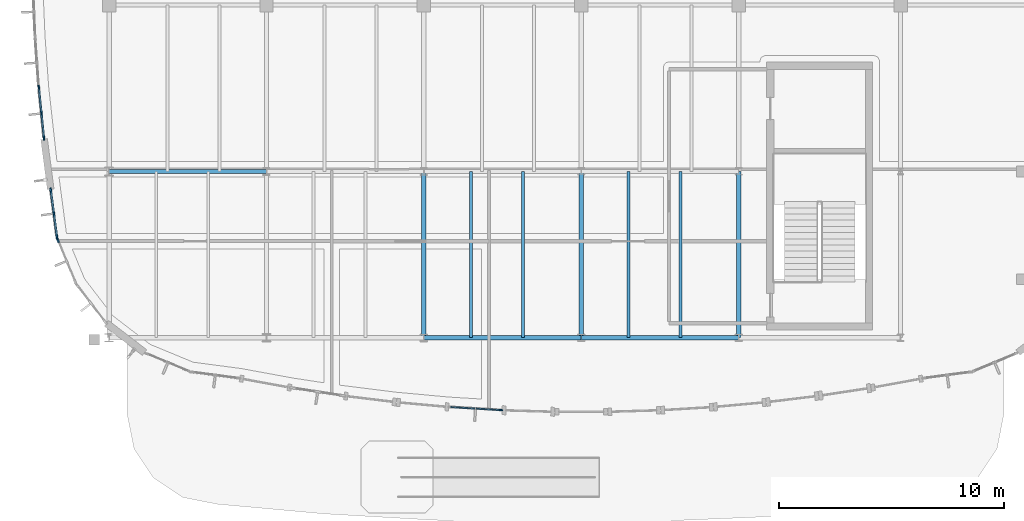
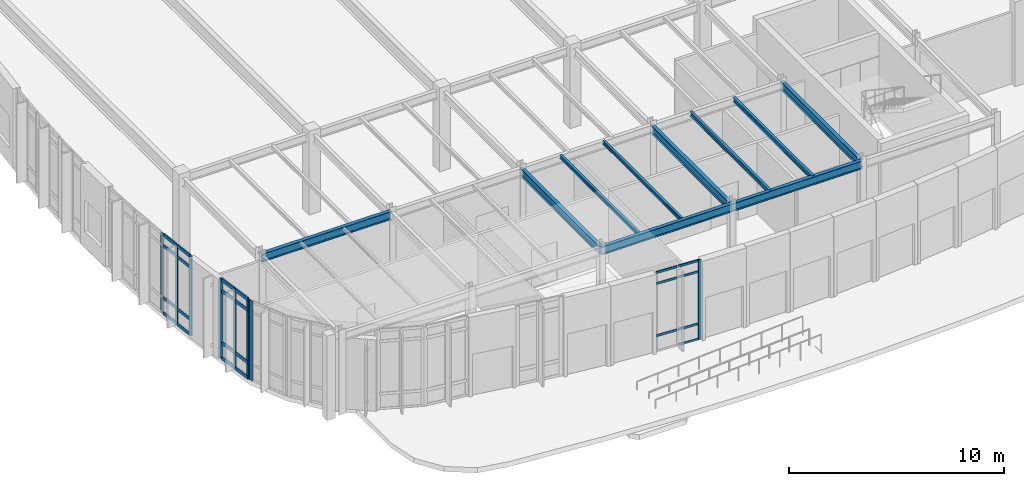
# One storey, part 39 of 120: 31 members, 10 beams, 5 elements without a shape of their own.
"""IFC4 building model written with IfcOpenShell, lengths in metres."""

from ifc_helpers import new_model, si_unit, direction, frame, origin, origin_2d, place, context, subcontext, project, spatial, rectangle, i_section, extrude, material, material_profile, profile_set, type_object, element, aggregate, save


model = new_model("IFC4")

# Units and contexts
model_context = context("Model", 3, precision=1e-05, world=origin(), true_north=direction((0.0, 1.0)))
body_context = subcontext(model_context, "Body", "Model", "MODEL_VIEW")
ifc_project = project(units=[si_unit("LENGTHUNIT", "METRE"), si_unit("AREAUNIT", "SQUARE_METRE"), si_unit("VOLUMEUNIT", "CUBIC_METRE"), si_unit("PLANEANGLEUNIT", "RADIAN"), si_unit("MASSUNIT", "GRAM", prefix="KILO")], contexts=[model_context])

# Site, building, storey
site_placement = place(None, origin())
site = spatial("IfcSite", under=ifc_project, at=site_placement, CompositionType="ELEMENT")
building_placement = place(site_placement, origin())
building = spatial("IfcBuilding", under=site, at=building_placement, Name="Corveleigh Park Community Centre", CompositionType="ELEMENT")
storey_placement = place(building_placement, origin())
storey = spatial("IfcBuildingStorey", under=building, at=storey_placement, Name="L00", CompositionType="ELEMENT", Elevation=0.0)

# Beams
ifc_material_1 = material(Name="Steel S355", Category="steel")
ifc_material_profile_1 = material_profile(ifc_material_1, i_section(OverallWidth=0.1337890625, OverallDepth=0.206787109375, WebThickness=0.00634765625, FlangeThickness=0.009521484375, at=origin_2d()), Name="UKB 203x133x30", Category="steel")
ifc_profile_set_1 = profile_set([ifc_material_profile_1], Name="Steel S355")
beam_type_1 = type_object("IfcBeamType", Name="BM-STL-UKB203x30", PredefinedType="JOIST", material=ifc_profile_set_1)
for number, where, z_axis, x_axis, name in (
    (1, (27.300048828125, 78.0048828125, 4.423583984375), (0.0, 1.0, 0.0), (-1.0, 0.0, 0.0), "Secondary floor joist"),
    (2, (29.610107421875, 78.0048828125, 4.423583984375), (0.0, 1.0, 0.0), (-1.0, 0.0, 0.0), "Secondary floor joist"),
):
    element("IfcBeam", number, at=place(storey_placement, frame(where, z_axis=z_axis, x_axis=x_axis)), inside=storey, type_object=beam_type_1, Name=name, PredefinedType="JOIST", context=body_context, shape_type="SweptSolid", body=[
        extrude(i_section(OverallWidth=0.1337890625, OverallDepth=0.206787109375, WebThickness=0.00634765625, FlangeThickness=0.009521484375, at=origin_2d()), origin(), (0.0, 0.0, 1.0), 7.39013671875),
    ])
ifc_material_profile_2 = material_profile(ifc_material_1, i_section(OverallWidth=0.14599609375, OverallDepth=0.25146484375, WebThickness=0.006103515625, FlangeThickness=0.008544921875, at=origin_2d()), Name="UKB 254x146x31", Category="steel")
ifc_profile_set_2 = profile_set([ifc_material_profile_2], Name="Steel S355")
beam_type_2 = type_object("IfcBeamType", Name="BM-STL-UKB254x31", PredefinedType="JOIST", material=ifc_profile_set_2)
for number, where, z_axis, x_axis, name in (
    (3, (34.300048828125, 78.0048828125, 4.4013671875), (0.0, 1.0, 0.0), (-1.0, 0.0, 0.0), "Secondary floor joist"),
    (4, (36.610107421875, 78.0048828125, 4.4013671875), (0.0, 1.0, 0.0), (-1.0, 0.0, 0.0), "Secondary floor joist"),
):
    element("IfcBeam", number, at=place(storey_placement, frame(where, z_axis=z_axis, x_axis=x_axis)), inside=storey, type_object=beam_type_2, Name=name, PredefinedType="JOIST", context=body_context, shape_type="SweptSolid", body=[
        extrude(i_section(OverallWidth=0.14599609375, OverallDepth=0.25146484375, WebThickness=0.006103515625, FlangeThickness=0.008544921875, at=origin_2d()), origin(), (0.0, 0.0, 1.0), 7.39013671875),
    ])
ifc_material_profile_3 = material_profile(ifc_material_1, i_section(OverallWidth=0.1904296875, OverallDepth=0.45703125, WebThickness=0.009033203125, FlangeThickness=0.014404296875, at=origin_2d()), Name="UKB 457x191x74", Category="steel")
ifc_profile_set_3 = profile_set([ifc_material_profile_3], Name="Steel S355")
beam_type_3 = type_object("IfcBeamType", Name="BM-STL-UKB457x74", PredefinedType="BEAM", material=ifc_profile_set_3)
for number, where, z_axis, x_axis, name in (
    (5, (25.199951171875, 78.0048828125, 4.298583984375), (0.0, 1.0, 0.0), (-1.0, 0.0, 0.0), "V2 Studio Girder Y"),
    (6, (32.199951171875, 78.0048828125, 4.298583984375), (0.0, 1.0, 0.0), (-1.0, 0.0, 0.0), "V2 Studio Girder Y"),
    (7, (39.199951171875, 78.0048828125, 4.298583984375), (0.0, 1.0, 0.0), (-1.0, 0.0, 0.0), "V2 Studio Girder Y"),
):
    element("IfcBeam", number, at=place(storey_placement, frame(where, z_axis=z_axis, x_axis=x_axis)), inside=storey, type_object=beam_type_3, Name=name, PredefinedType="BEAM", context=body_context, shape_type="SweptSolid", body=[
        extrude(i_section(OverallWidth=0.1904296875, OverallDepth=0.45703125, WebThickness=0.009033203125, FlangeThickness=0.014404296875, at=origin_2d()), origin(), (0.0, 0.0, 1.0), 7.39013671875),
    ])
ifc_material_profile_4 = material_profile(ifc_material_1, i_section(OverallWidth=0.19140625, OverallDepth=0.4599609375, WebThickness=0.010009765625, FlangeThickness=0.01611328125, at=origin_2d()), Name="UKB 457x191x82", Category="steel")
ifc_profile_set_4 = profile_set([ifc_material_profile_4], Name="Steel S355")
beam_type_4 = type_object("IfcBeamType", Name="BM-STL-UKB457x82", PredefinedType="BEAM", material=ifc_profile_set_4)
for number, where, z_axis, x_axis, name in (
    (8, (25.205078125, 78.0, 4.297119140625), (1.0, 0.0, 0.0), (0.0, 1.0, 0.0), "V2 Studio Girder X"),
    (9, (32.205078125, 78.0, 4.297119140625), (1.0, 0.0, 0.0), (0.0, 1.0, 0.0), "V2 Studio Girder X"),
    (10, (11.205078125, 85.39990234375, 4.297119140625), (1.0, 0.0, 0.0), (0.0, 1.0, 0.0), "V2 Studio Girder X"),
):
    element("IfcBeam", number, at=place(storey_placement, frame(where, z_axis=z_axis, x_axis=x_axis)), inside=storey, type_object=beam_type_4, Name=name, PredefinedType="BEAM", context=body_context, shape_type="SweptSolid", body=[
        extrude(i_section(OverallWidth=0.19140625, OverallDepth=0.4599609375, WebThickness=0.010009765625, FlangeThickness=0.01611328125, at=origin_2d()), origin(), (0.0, 0.0, 1.0), 6.989990234375),
    ])

# Curtain wall, member
ifc_material_2 = material(Name="Anodised aluminium 6063-T6", Category="aluminium")
curtain_wall_type = type_object("IfcCurtainWallType", Name="CW-SYS-V2-L00", PredefinedType="NOTDEFINED", material=ifc_material_2)
curtain_wall_1_placement = place(storey_placement, origin())
curtain_wall_1 = element("IfcCurtainWall", 11, at=curtain_wall_1_placement, inside=storey, type_object=curtain_wall_type, Name="V2 L00 Curtain Wall 31", PredefinedType="NOTDEFINED")
ifc_material_profile_5 = material_profile(ifc_material_2, rectangle(XDim=0.06005859375, YDim=0.159912109375, at=origin_2d()), Name="ALU-M60x160", Category="aluminium")
ifc_profile_set_5 = profile_set([ifc_material_profile_5], Name="Anodised aluminium 6063-T6")
member_type_1 = type_object("IfcMemberType", Name="CWM-60x160", PredefinedType="MULLION", material=ifc_profile_set_5)
member_1_placement = place(storey_placement, frame((28.632080078125, 74.78369140625, 0.0), z_axis=(0.0, 0.0, 1.0), x_axis=(-0.059952027591, -0.99820125946, 0.0)))
member_1 = element("IfcMember", 12, at=member_1_placement, type_object=member_type_1, Name="CW03 mullion 1", PredefinedType="MULLION", context=body_context, shape_type="SweptSolid", body=[
    extrude(rectangle(XDim=0.06005859375, YDim=0.159912109375, at=origin_2d()), origin(), (0.0, 0.0, 1.0), 4.511962890625),
])

curtain_wall_2_placement = place(storey_placement, origin())
curtain_wall_2 = element("IfcCurtainWall", 13, at=curtain_wall_2_placement, inside=storey, type_object=curtain_wall_type, Name="V2 L00 Curtain Wall 68", PredefinedType="NOTDEFINED")
ifc_material_profile_6 = material_profile(ifc_material_2, rectangle(XDim=0.06494140625, YDim=0.179931640625, at=origin_2d()), Name="ALU-M65x180", Category="aluminium")
ifc_profile_set_6 = profile_set([ifc_material_profile_6], Name="Anodised aluminium 6063-T6")
member_type_2 = type_object("IfcMemberType", Name="CWM-65x180", PredefinedType="MULLION", material=ifc_profile_set_6)
member_2_placement = place(storey_placement, frame((8.07177734375, 89.146484375, 0.0), z_axis=(0.0, 0.0, 1.0), x_axis=(-0.997404262381, -0.072005120539, 0.0)))
member_2 = element("IfcMember", 14, at=member_2_placement, type_object=member_type_2, Name="CW03 mullion 1", PredefinedType="MULLION", context=body_context, shape_type="SweptSolid", body=[
    extrude(rectangle(XDim=0.06494140625, YDim=0.179931640625, at=origin_2d()), origin(), (0.0, 0.0, 1.0), 4.511962890625),
])
aggregate(curtain_wall_2, [member_2])

# Curtain wall, members
curtain_wall_3_placement = place(storey_placement, origin())
curtain_wall_3 = element("IfcCurtainWall", 15, at=curtain_wall_3_placement, inside=storey, type_object=curtain_wall_type, Name="V2 L00 Curtain Wall 69", PredefinedType="NOTDEFINED")
ifc_material_profile_7 = material_profile(ifc_material_2, rectangle(XDim=0.070068359375, YDim=0.199951171875, at=origin_2d()), Name="ALU-M70x200", Category="aluminium")
ifc_profile_set_7 = profile_set([ifc_material_profile_7], Name="Anodised aluminium 6063-T6")
member_type_3 = type_object("IfcMemberType", Name="CWM-70x200", PredefinedType="MULLION", material=ifc_profile_set_7)
member_3_placement = place(storey_placement, frame((8.300537109375, 86.892822265625, 0.0), z_axis=(0.0, 0.0, 1.0), x_axis=(-0.9948506205, -0.101352073938, 0.0)))
member_3 = element("IfcMember", 16, at=member_3_placement, type_object=member_type_3, Name="CW03 mullion 1", PredefinedType="MULLION", context=body_context, shape_type="SweptSolid", body=[
    extrude(rectangle(XDim=0.070068359375, YDim=0.199951171875, at=origin_2d()), origin(), (0.0, 0.0, 1.0), 4.511962890625),
])
member_4_placement = place(storey_placement, frame((8.18994140625, 87.97705078125, 0.0), z_axis=(0.0, 0.0, 1.0), x_axis=(-0.9948506205, -0.101352073938, 0.0)))
member_4 = element("IfcMember", 17, at=member_4_placement, type_object=member_type_3, Name="CW03 mullion 2", PredefinedType="MULLION", context=body_context, shape_type="SweptSolid", body=[
    extrude(rectangle(XDim=0.070068359375, YDim=0.199951171875, at=origin_2d()), origin(), (0.0, 0.0, 1.0), 4.511962890625),
])

curtain_wall_4_placement = place(storey_placement, origin())
curtain_wall_4 = element("IfcCurtainWall", 18, at=curtain_wall_4_placement, inside=storey, type_object=curtain_wall_type, Name="V2 L00 Curtain Wall 70", PredefinedType="NOTDEFINED")
ifc_material_profile_8 = material_profile(ifc_material_2, rectangle(XDim=0.074951171875, YDim=0.219970703125, at=origin_2d()), Name="ALU-M75x220", Category="aluminium")
ifc_profile_set_8 = profile_set([ifc_material_profile_8], Name="Anodised aluminium 6063-T6")
member_type_4 = type_object("IfcMemberType", Name="CWM-75x220", PredefinedType="MULLION", material=ifc_profile_set_8)
member_5_placement = place(storey_placement, frame((8.877197265625, 82.4951171875, 0.0), z_axis=(0.0, 0.0, 1.0), x_axis=(-0.99145745499, -0.130430498525, 0.0)))
member_5 = element("IfcMember", 19, at=member_5_placement, type_object=member_type_4, Name="CW03 mullion 1", PredefinedType="MULLION", context=body_context, shape_type="SweptSolid", body=[
    extrude(rectangle(XDim=0.074951171875, YDim=0.219970703125, at=origin_2d()), origin(), (0.0, 0.0, 1.0), 4.511962890625),
])
member_6_placement = place(storey_placement, frame((8.741455078125, 83.52587890625, 0.0), z_axis=(0.0, 0.0, 1.0), x_axis=(-0.99145745499, -0.130430498525, 0.0)))
member_6 = element("IfcMember", 20, at=member_6_placement, type_object=member_type_4, Name="CW03 mullion 2", PredefinedType="MULLION", context=body_context, shape_type="SweptSolid", body=[
    extrude(rectangle(XDim=0.074951171875, YDim=0.219970703125, at=origin_2d()), origin(), (0.0, 0.0, 1.0), 4.511962890625),
])
member_7_placement = place(storey_placement, frame((8.60595703125, 84.556884765625, 0.0), z_axis=(0.0, 0.0, 1.0), x_axis=(-0.99145745499, -0.130430498525, 0.0)))
member_7 = element("IfcMember", 21, at=member_7_placement, type_object=member_type_4, Name="CW03 mullion 3", PredefinedType="MULLION", context=body_context, shape_type="SweptSolid", body=[
    extrude(rectangle(XDim=0.074951171875, YDim=0.219970703125, at=origin_2d()), origin(), (0.0, 0.0, 1.0), 4.511962890625),
])

# Curtain wall, member
curtain_wall_5_placement = place(storey_placement, origin())
curtain_wall_5 = element("IfcCurtainWall", 22, at=curtain_wall_5_placement, inside=storey, type_object=curtain_wall_type, Name="V2 L00 Curtain Wall 71", PredefinedType="NOTDEFINED")
ifc_material_profile_9 = material_profile(ifc_material_2, rectangle(XDim=0.080078125, YDim=0.25, at=origin_2d()), Name="ALU-M80x250", Category="aluminium")
ifc_profile_set_9 = profile_set([ifc_material_profile_9], Name="Anodised aluminium 6063-T6")
member_type_5 = type_object("IfcMemberType", Name="CWM-80x250", PredefinedType="MULLION", material=ifc_profile_set_9)
member_8_placement = place(storey_placement, frame((8.913330078125, 82.359130859375, 0.0), z_axis=(0.0, 0.0, 1.0), x_axis=(-0.923770494231, -0.382946568059, 0.0)))
member_8 = element("IfcMember", 23, at=member_8_placement, type_object=member_type_5, Name="CW03 mullion 3", PredefinedType="MULLION", context=body_context, shape_type="SweptSolid", body=[
    extrude(rectangle(XDim=0.080078125, YDim=0.25, at=origin_2d()), origin(), (0.0, 0.0, 1.0), 4.511962890625),
])
aggregate(curtain_wall_5, [member_8])

# Member
ifc_material_profile_10 = material_profile(ifc_material_2, rectangle(XDim=0.06005859375, YDim=0.1201171875, at=origin_2d()), Name="ALU-T60x120", Category="aluminium")
ifc_profile_set_10 = profile_set([ifc_material_profile_10], Name="Anodised aluminium 6063-T6")
member_type_6 = type_object("IfcMemberType", Name="CWT-60x120", PredefinedType="USERDEFINED", material=ifc_profile_set_10)
member_9_placement = place(storey_placement, frame((28.60205078125, 74.78564453125, 0.030029296875), z_axis=(-0.998209718233, 0.059811022609, 0.0), x_axis=(-0.059811022609, -0.998209718233, 0.0)))
member_9 = element("IfcMember", 24, at=member_9_placement, type_object=member_type_6, Name="CW03 transom 1.1", ObjectType="TRANSOM", PredefinedType="USERDEFINED", context=body_context, shape_type="SweptSolid", body=[
    extrude(rectangle(XDim=0.06005859375, YDim=0.1201171875, at=origin_2d()), origin(), (0.0, 0.0, 1.0), 1.07763671875),
])

member_10_placement = place(storey_placement, frame((28.60205078125, 74.78564453125, 0.89990234375), z_axis=(-0.998209718233, 0.059811022609, 0.0), x_axis=(-0.059811022609, -0.998209718233, 0.0)))
member_10 = element("IfcMember", 25, at=member_10_placement, type_object=member_type_6, Name="CW03 transom 1.2", ObjectType="TRANSOM", PredefinedType="USERDEFINED", context=body_context, shape_type="SweptSolid", body=[
    extrude(rectangle(XDim=0.06005859375, YDim=0.1201171875, at=origin_2d()), origin(), (0.0, 0.0, 1.0), 1.07763671875),
])

member_11_placement = place(storey_placement, frame((28.60205078125, 74.78564453125, 3.862060546875), z_axis=(-0.998209718233, 0.059811022609, 0.0), x_axis=(-0.059811022609, -0.998209718233, 0.0)))
member_11 = element("IfcMember", 26, at=member_11_placement, type_object=member_type_6, Name="CW03 transom 1.3", ObjectType="TRANSOM", PredefinedType="USERDEFINED", context=body_context, shape_type="SweptSolid", body=[
    extrude(rectangle(XDim=0.06005859375, YDim=0.1201171875, at=origin_2d()), origin(), (0.0, 0.0, 1.0), 1.07763671875),
])

member_12_placement = place(storey_placement, frame((28.60205078125, 74.78564453125, 4.48193359375), z_axis=(-0.998209718233, 0.059811022609, 0.0), x_axis=(-0.059811022609, -0.998209718233, 0.0)))
member_12 = element("IfcMember", 27, at=member_12_placement, type_object=member_type_6, Name="CW03 transom 1.4", ObjectType="TRANSOM", PredefinedType="USERDEFINED", context=body_context, shape_type="SweptSolid", body=[
    extrude(rectangle(XDim=0.06005859375, YDim=0.1201171875, at=origin_2d()), origin(), (0.0, 0.0, 1.0), 1.07763671875),
])

member_13_placement = place(storey_placement, frame((27.466552734375, 74.853759765625, 0.89990234375), z_axis=(-0.99819616655, 0.060036764443, 0.0), x_axis=(-0.060036764443, -0.99819616655, 0.0)))
member_13 = element("IfcMember", 28, at=member_13_placement, type_object=member_type_6, Name="CW03 transom 2.2", ObjectType="TRANSOM", PredefinedType="USERDEFINED", context=body_context, shape_type="SweptSolid", body=[
    extrude(rectangle(XDim=0.06005859375, YDim=0.1201171875, at=origin_2d()), origin(), (0.0, 0.0, 1.0), 1.07763671875),
])

member_14_placement = place(storey_placement, frame((27.466552734375, 74.853759765625, 3.862060546875), z_axis=(-0.99819616655, 0.060036764443, 0.0), x_axis=(-0.060036764443, -0.99819616655, 0.0)))
member_14 = element("IfcMember", 29, at=member_14_placement, type_object=member_type_6, Name="CW03 transom 2.3", ObjectType="TRANSOM", PredefinedType="USERDEFINED", context=body_context, shape_type="SweptSolid", body=[
    extrude(rectangle(XDim=0.06005859375, YDim=0.1201171875, at=origin_2d()), origin(), (0.0, 0.0, 1.0), 1.07763671875),
])

member_15_placement = place(storey_placement, frame((27.466552734375, 74.853759765625, 4.48193359375), z_axis=(-0.99819616655, 0.060036764443, 0.0), x_axis=(-0.060036764443, -0.99819616655, 0.0)))
member_15 = element("IfcMember", 30, at=member_15_placement, type_object=member_type_6, Name="CW03 transom 2.4", ObjectType="TRANSOM", PredefinedType="USERDEFINED", context=body_context, shape_type="SweptSolid", body=[
    extrude(rectangle(XDim=0.06005859375, YDim=0.1201171875, at=origin_2d()), origin(), (0.0, 0.0, 1.0), 1.07763671875),
])

aggregate(curtain_wall_1, [member_1, member_9, member_10, member_11, member_12, member_13, member_14, member_15])

ifc_material_profile_11 = material_profile(ifc_material_2, rectangle(XDim=0.074951171875, YDim=0.175048828125, at=origin_2d()), Name="ALU-T75x175", Category="aluminium")
ifc_profile_set_11 = profile_set([ifc_material_profile_11], Name="Anodised aluminium 6063-T6")
member_type_7 = type_object("IfcMemberType", Name="CWT-75x175", PredefinedType="USERDEFINED", material=ifc_profile_set_11)
member_16_placement = place(storey_placement, frame((8.296875, 86.927734375, 0.03759765625), z_axis=(-0.101281552453, 0.994857802469, 0.0), x_axis=(-0.994857802469, -0.101281552453, 0.0)))
member_16 = element("IfcMember", 31, at=member_16_placement, type_object=member_type_7, Name="CW03 transom 1.1", ObjectType="TRANSOM", PredefinedType="USERDEFINED", context=body_context, shape_type="SweptSolid", body=[
    extrude(rectangle(XDim=0.074951171875, YDim=0.175048828125, at=origin_2d()), origin(), (0.0, 0.0, 1.0), 1.01953125),
])

member_17_placement = place(storey_placement, frame((8.296875, 86.927734375, 0.89990234375), z_axis=(-0.101281552453, 0.994857802469, 0.0), x_axis=(-0.994857802469, -0.101281552453, 0.0)))
member_17 = element("IfcMember", 32, at=member_17_placement, type_object=member_type_7, Name="CW03 transom 1.2", ObjectType="TRANSOM", PredefinedType="USERDEFINED", context=body_context, shape_type="SweptSolid", body=[
    extrude(rectangle(XDim=0.074951171875, YDim=0.175048828125, at=origin_2d()), origin(), (0.0, 0.0, 1.0), 1.01953125),
])

member_18_placement = place(storey_placement, frame((8.296875, 86.927734375, 3.862060546875), z_axis=(-0.101281552453, 0.994857802469, 0.0), x_axis=(-0.994857802469, -0.101281552453, 0.0)))
member_18 = element("IfcMember", 33, at=member_18_placement, type_object=member_type_7, Name="CW03 transom 1.3", ObjectType="TRANSOM", PredefinedType="USERDEFINED", context=body_context, shape_type="SweptSolid", body=[
    extrude(rectangle(XDim=0.074951171875, YDim=0.175048828125, at=origin_2d()), origin(), (0.0, 0.0, 1.0), 1.01953125),
])

member_19_placement = place(storey_placement, frame((8.296875, 86.927734375, 4.474609375), z_axis=(-0.101281552453, 0.994857802469, 0.0), x_axis=(-0.994857802469, -0.101281552453, 0.0)))
member_19 = element("IfcMember", 34, at=member_19_placement, type_object=member_type_7, Name="CW03 transom 1.4", ObjectType="TRANSOM", PredefinedType="USERDEFINED", context=body_context, shape_type="SweptSolid", body=[
    extrude(rectangle(XDim=0.074951171875, YDim=0.175048828125, at=origin_2d()), origin(), (0.0, 0.0, 1.0), 1.01953125),
])

member_20_placement = place(storey_placement, frame((8.1865234375, 88.01171875, 0.03759765625), z_axis=(-0.101494348671, 0.994836115744, 0.0), x_axis=(-0.994836115744, -0.101494348671, 0.0)))
member_20 = element("IfcMember", 35, at=member_20_placement, type_object=member_type_7, Name="CW03 transom 2.1", ObjectType="TRANSOM", PredefinedType="USERDEFINED", context=body_context, shape_type="SweptSolid", body=[
    extrude(rectangle(XDim=0.074951171875, YDim=0.175048828125, at=origin_2d()), origin(), (0.0, 0.0, 1.0), 1.02001953125),
])

member_21_placement = place(storey_placement, frame((8.1865234375, 88.01171875, 0.89990234375), z_axis=(-0.101494348671, 0.994836115744, 0.0), x_axis=(-0.994836115744, -0.101494348671, 0.0)))
member_21 = element("IfcMember", 36, at=member_21_placement, type_object=member_type_7, Name="CW03 transom 2.2", ObjectType="TRANSOM", PredefinedType="USERDEFINED", context=body_context, shape_type="SweptSolid", body=[
    extrude(rectangle(XDim=0.074951171875, YDim=0.175048828125, at=origin_2d()), origin(), (0.0, 0.0, 1.0), 1.02001953125),
])

member_22_placement = place(storey_placement, frame((8.1865234375, 88.01171875, 3.862060546875), z_axis=(-0.101494348671, 0.994836115744, 0.0), x_axis=(-0.994836115744, -0.101494348671, 0.0)))
member_22 = element("IfcMember", 37, at=member_22_placement, type_object=member_type_7, Name="CW03 transom 2.3", ObjectType="TRANSOM", PredefinedType="USERDEFINED", context=body_context, shape_type="SweptSolid", body=[
    extrude(rectangle(XDim=0.074951171875, YDim=0.175048828125, at=origin_2d()), origin(), (0.0, 0.0, 1.0), 1.02001953125),
])

member_23_placement = place(storey_placement, frame((8.1865234375, 88.01171875, 4.474609375), z_axis=(-0.101494348671, 0.994836115744, 0.0), x_axis=(-0.994836115744, -0.101494348671, 0.0)))
member_23 = element("IfcMember", 38, at=member_23_placement, type_object=member_type_7, Name="CW03 transom 2.4", ObjectType="TRANSOM", PredefinedType="USERDEFINED", context=body_context, shape_type="SweptSolid", body=[
    extrude(rectangle(XDim=0.074951171875, YDim=0.175048828125, at=origin_2d()), origin(), (0.0, 0.0, 1.0), 1.02001953125),
])

aggregate(curtain_wall_3, [member_3, member_4, member_16, member_17, member_18, member_19, member_20, member_21, member_22, member_23])

ifc_material_profile_12 = material_profile(ifc_material_2, rectangle(XDim=0.080078125, YDim=0.195068359375, at=origin_2d()), Name="ALU-T80x195", Category="aluminium")
ifc_profile_set_12 = profile_set([ifc_material_profile_12], Name="Anodised aluminium 6063-T6")
member_type_8 = type_object("IfcMemberType", Name="CWT-80x195", PredefinedType="USERDEFINED", material=ifc_profile_set_12)
member_24_placement = place(storey_placement, frame((8.872314453125, 82.532470703125, 0.0400390625), z_axis=(-0.130605102435, 0.991434469452, 0.0), x_axis=(-0.991434469452, -0.130605102435, 0.0)))
member_24 = element("IfcMember", 39, at=member_24_placement, type_object=member_type_8, Name="CW03 transom 1.1", ObjectType="TRANSOM", PredefinedType="USERDEFINED", context=body_context, shape_type="SweptSolid", body=[
    extrude(rectangle(XDim=0.080078125, YDim=0.195068359375, at=origin_2d()), origin(), (0.0, 0.0, 1.0), 0.964599609375),
])

member_25_placement = place(storey_placement, frame((8.872314453125, 82.532470703125, 0.89990234375), z_axis=(-0.130605102435, 0.991434469452, 0.0), x_axis=(-0.991434469452, -0.130605102435, 0.0)))
member_25 = element("IfcMember", 40, at=member_25_placement, type_object=member_type_8, Name="CW03 transom 1.2", ObjectType="TRANSOM", PredefinedType="USERDEFINED", context=body_context, shape_type="SweptSolid", body=[
    extrude(rectangle(XDim=0.080078125, YDim=0.195068359375, at=origin_2d()), origin(), (0.0, 0.0, 1.0), 0.964599609375),
])

member_26_placement = place(storey_placement, frame((8.872314453125, 82.532470703125, 3.862060546875), z_axis=(-0.130605102435, 0.991434469452, 0.0), x_axis=(-0.991434469452, -0.130605102435, 0.0)))
member_26 = element("IfcMember", 41, at=member_26_placement, type_object=member_type_8, Name="CW03 transom 1.3", ObjectType="TRANSOM", PredefinedType="USERDEFINED", context=body_context, shape_type="SweptSolid", body=[
    extrude(rectangle(XDim=0.080078125, YDim=0.195068359375, at=origin_2d()), origin(), (0.0, 0.0, 1.0), 0.964599609375),
])

member_27_placement = place(storey_placement, frame((8.872314453125, 82.532470703125, 4.471923828125), z_axis=(-0.130605102435, 0.991434469452, 0.0), x_axis=(-0.991434469452, -0.130605102435, 0.0)))
member_27 = element("IfcMember", 42, at=member_27_placement, type_object=member_type_8, Name="CW03 transom 1.4", ObjectType="TRANSOM", PredefinedType="USERDEFINED", context=body_context, shape_type="SweptSolid", body=[
    extrude(rectangle(XDim=0.080078125, YDim=0.195068359375, at=origin_2d()), origin(), (0.0, 0.0, 1.0), 0.964599609375),
])

member_28_placement = place(storey_placement, frame((8.736572265625, 83.563232421875, 0.0400390625), z_axis=(-0.130356296926, 0.991467213705, 0.0), x_axis=(-0.991467213705, -0.130356296926, 0.0)))
member_28 = element("IfcMember", 43, at=member_28_placement, type_object=member_type_8, Name="CW03 transom 2.1", ObjectType="TRANSOM", PredefinedType="USERDEFINED", context=body_context, shape_type="SweptSolid", body=[
    extrude(rectangle(XDim=0.080078125, YDim=0.195068359375, at=origin_2d()), origin(), (0.0, 0.0, 1.0), 0.964599609375),
])

member_29_placement = place(storey_placement, frame((8.736572265625, 83.563232421875, 0.89990234375), z_axis=(-0.130356296926, 0.991467213705, 0.0), x_axis=(-0.991467213705, -0.130356296926, 0.0)))
member_29 = element("IfcMember", 44, at=member_29_placement, type_object=member_type_8, Name="CW03 transom 2.2", ObjectType="TRANSOM", PredefinedType="USERDEFINED", context=body_context, shape_type="SweptSolid", body=[
    extrude(rectangle(XDim=0.080078125, YDim=0.195068359375, at=origin_2d()), origin(), (0.0, 0.0, 1.0), 0.964599609375),
])

member_30_placement = place(storey_placement, frame((8.736572265625, 83.563232421875, 3.862060546875), z_axis=(-0.130356296926, 0.991467213705, 0.0), x_axis=(-0.991467213705, -0.130356296926, 0.0)))
member_30 = element("IfcMember", 45, at=member_30_placement, type_object=member_type_8, Name="CW03 transom 2.3", ObjectType="TRANSOM", PredefinedType="USERDEFINED", context=body_context, shape_type="SweptSolid", body=[
    extrude(rectangle(XDim=0.080078125, YDim=0.195068359375, at=origin_2d()), origin(), (0.0, 0.0, 1.0), 0.964599609375),
])

member_31_placement = place(storey_placement, frame((8.736572265625, 83.563232421875, 4.471923828125), z_axis=(-0.130356296926, 0.991467213705, 0.0), x_axis=(-0.991467213705, -0.130356296926, 0.0)))
member_31 = element("IfcMember", 46, at=member_31_placement, type_object=member_type_8, Name="CW03 transom 2.4", ObjectType="TRANSOM", PredefinedType="USERDEFINED", context=body_context, shape_type="SweptSolid", body=[
    extrude(rectangle(XDim=0.080078125, YDim=0.195068359375, at=origin_2d()), origin(), (0.0, 0.0, 1.0), 0.964599609375),
])

aggregate(curtain_wall_4, [member_5, member_6, member_7, member_24, member_25, member_26, member_27, member_28, member_29, member_30, member_31])

save(model, "model.ifc")
